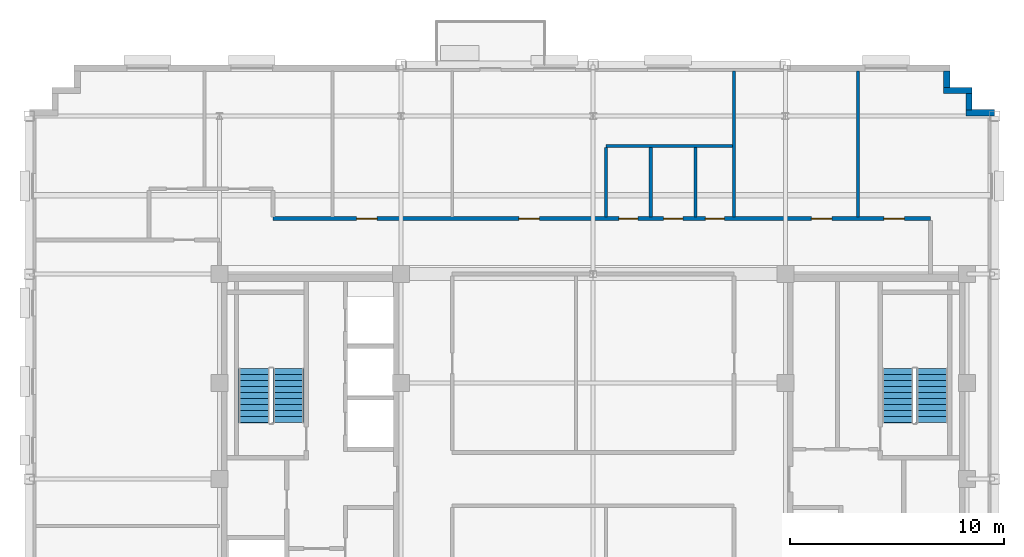
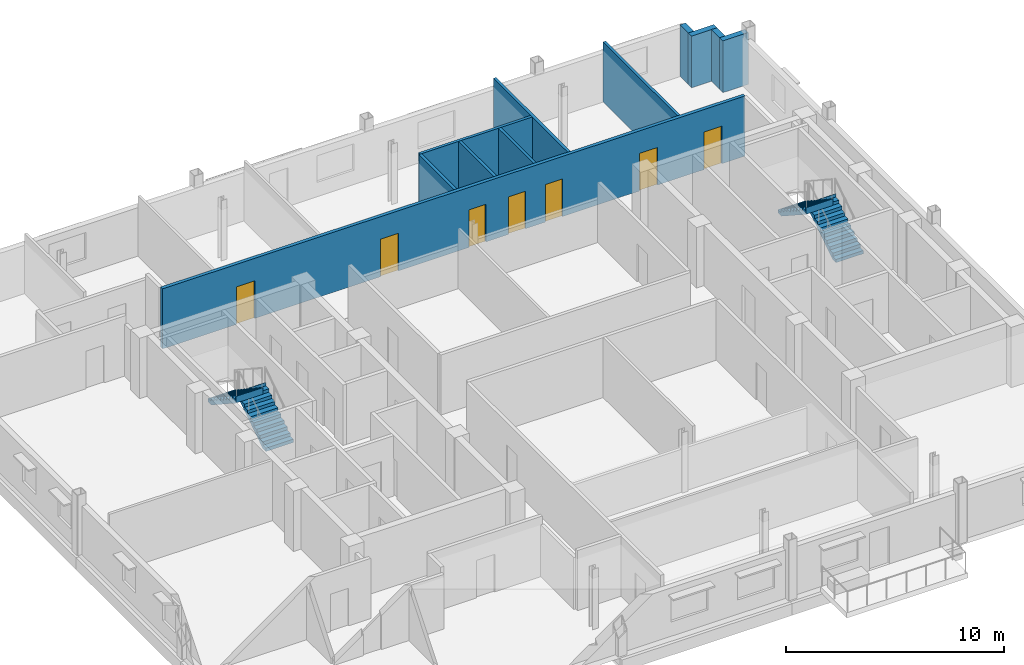
# One storey, part 9 of 13: 11 walls, 7 doors, 4 stair flights, 7 openings, 2 elements without a shape of their own.
"""IFC4 building model written with IfcOpenShell, lengths in metres."""

from ifc_helpers import new_model, si_unit, direction, frame, frame_2d, origin, place, context, subcontext, project, spatial, polyline, rectangle, outline, extrude, source, transform, mapped, material, layer, layer_set, type_object, type_shapes, element, fill, aggregate, save


model = new_model("IFC4")

# Units and contexts
model_context = context("Model", 3, precision=1e-05, world=origin(), true_north=direction((0.0, 1.0)))
body_context = subcontext(model_context, "Body", "Model", "MODEL_VIEW")
ifc_project = project(units=[si_unit("LENGTHUNIT", "METRE"), si_unit("AREAUNIT", "SQUARE_METRE"), si_unit("VOLUMEUNIT", "CUBIC_METRE"), si_unit("PLANEANGLEUNIT", "RADIAN"), si_unit("MASSUNIT", "GRAM", prefix="KILO")], contexts=[model_context])

# Site, building, storey
site_placement = place(None, origin())
site = spatial("IfcSite", under=ifc_project, at=site_placement, CompositionType="ELEMENT")
building_placement = place(site_placement, origin())
building = spatial("IfcBuilding", under=site, at=building_placement, Name="Nuvemarco Arch Tower", CompositionType="ELEMENT")
storey_placement = place(building_placement, frame((0.0, 0.0, 231.050048828125)))
storey = spatial("IfcBuildingStorey", under=building, at=storey_placement, Name="L61", CompositionType="ELEMENT", Elevation=231.050048828125)

# Walls
ifc_material_1 = material(Name="Precast concrete C45/55", Category="concrete")
ifc_layer_1 = layer(ifc_material_1, 0.300048828125, Name="EW-HIGH-300")
ifc_layer_set_1 = layer_set([ifc_layer_1], Name="Precast concrete C45/55")
wall_type_1 = type_object("IfcWallType", Name="EW-HIGH-300", PredefinedType="STANDARD", material=ifc_layer_set_1)
wall_1_placement = place(storey_placement, frame((17.449951171875, 17.14990234375, 0.0), z_axis=(0.0, 0.0, 1.0), x_axis=(1.0, 0.0, 0.0)))
element("IfcWall", 1, at=wall_1_placement, inside=storey, type_object=wall_type_1, Name="L61 exterior precast facade wall 7", PredefinedType="STANDARD", context=body_context, shape_type="SweptSolid", body=[
    extrude(rectangle(XDim=1.35009765625, YDim=0.300048828125, at=frame_2d((0.675048828125, 0.0))), origin(), (0.0, 0.0, 1.0), 2.891845703125),
])
wall_2_placement = place(storey_placement, frame((17.60009765625, 17.2958984375, 0.0), z_axis=(0.0, 0.0, 1.0), x_axis=(0.0, 1.0, 0.0)))
element("IfcWall", 2, at=wall_2_placement, inside=storey, type_object=wall_type_1, Name="L61 exterior precast facade wall 8", PredefinedType="STANDARD", context=body_context, shape_type="SweptSolid", body=[
    extrude(rectangle(XDim=0.758056640625, YDim=0.300048828125, at=frame_2d((0.37890625, 0.0))), origin(), (0.0, 0.0, 1.0), 2.891845703125),
])
wall_3_placement = place(storey_placement, frame((16.39990234375, 18.199951171875, 0.0), z_axis=(0.0, 0.0, 1.0), x_axis=(1.0, 0.0, 0.0)))
element("IfcWall", 3, at=wall_3_placement, inside=storey, type_object=wall_type_1, Name="L61 exterior precast facade wall 9", PredefinedType="STANDARD", context=body_context, shape_type="SweptSolid", body=[
    extrude(rectangle(XDim=1.35009765625, YDim=0.300048828125, at=frame_2d((0.675048828125, 0.0))), origin(), (0.0, 0.0, 1.0), 2.891845703125),
])
wall_4_placement = place(storey_placement, frame((16.550048828125, 18.345947265625, 0.0), z_axis=(0.0, 0.0, 1.0), x_axis=(0.0, 1.0, 0.0)))
element("IfcWall", 4, at=wall_4_placement, inside=storey, type_object=wall_type_1, Name="L61 exterior precast facade wall 10", PredefinedType="STANDARD", context=body_context, shape_type="SweptSolid", body=[
    extrude(rectangle(XDim=0.758056640625, YDim=0.300048828125, at=frame_2d((0.37890625, 0.0))), origin(), (0.0, 0.0, 1.0), 2.891845703125),
])

# Wall, openings, doors
ifc_material_2 = material(Name="Fire-rated gypsum drywall partition")
ifc_layer_2 = layer(ifc_material_2, 0.179931640625, Name="WL-CORR-180")
ifc_layer_set_2 = layer_set([ifc_layer_2], Name="Fire-rated gypsum drywall partition")
wall_type_2 = type_object("IfcWallType", Name="WL-CORR-180", PredefinedType="PARTITIONING", material=ifc_layer_set_2)
wall_5_placement = place(storey_placement, frame((-15.0, 12.199951171875, 0.0), z_axis=(0.0, 0.0, 1.0), x_axis=(1.0, 0.0, 0.0)))
wall_5 = element("IfcWall", 5, at=wall_5_placement, inside=storey, type_object=wall_type_2, Name="L61 interior wall IW-L61-015", PredefinedType="PARTITIONING", context=body_context, shape_type="SweptSolid", body=[
    extrude(rectangle(XDim=30.800048828125, YDim=0.179931640625, at=frame_2d((15.39990234375, 0.0))), origin(), (0.0, 0.0, 1.0), 3.35986328125),
])
opening_1_placement = place(wall_5_placement, frame((11.52001953125, 0.0, 0.0)))
opening_1 = element("IfcOpeningElement", 6, at=opening_1_placement, cuts=wall_5, Name="Opening FD-5", PredefinedType="OPENING", context=body_context, shape_type="SweptSolid", body=[
    extrude(rectangle(XDim=0.9599609375, YDim=2.10009765625, at=frame_2d((0.47998046875, 1.050048828125))), frame((0.0, 0.099853515625, 0.0), z_axis=(0.0, -1.0, 0.0), x_axis=(1.0, 0.0, 0.0)), (0.0, 0.0, 1.0), 0.199951171875),
])
opening_2_placement = place(wall_5_placement, frame((25.219970703125, 0.0, 0.0)))
opening_2 = element("IfcOpeningElement", 7, at=opening_2_placement, cuts=wall_5, Name="Opening FD-5", PredefinedType="OPENING", context=body_context, shape_type="SweptSolid", body=[
    extrude(rectangle(XDim=0.9599609375, YDim=2.10009765625, at=frame_2d((0.47998046875, 1.050048828125))), frame((0.0, 0.099853515625, 0.0), z_axis=(0.0, -1.0, 0.0), x_axis=(1.0, 0.0, 0.0)), (0.0, 0.0, 1.0), 0.199951171875),
])
opening_3_placement = place(wall_5_placement, frame((28.6201171875, 0.0, 0.0)))
opening_3 = element("IfcOpeningElement", 8, at=opening_3_placement, cuts=wall_5, Name="Opening FD-5", PredefinedType="OPENING", context=body_context, shape_type="SweptSolid", body=[
    extrude(rectangle(XDim=0.9599609375, YDim=2.10009765625, at=frame_2d((0.47998046875, 1.050048828125))), frame((0.0, 0.099853515625, 0.0), z_axis=(0.0, -1.0, 0.0), x_axis=(1.0, 0.0, 0.0)), (0.0, 0.0, 1.0), 0.199951171875),
])
opening_4_placement = place(wall_5_placement, frame((3.919921875, 0.0, 0.0)))
opening_4 = element("IfcOpeningElement", 9, at=opening_4_placement, cuts=wall_5, Name="Opening FD-5", PredefinedType="OPENING", context=body_context, shape_type="SweptSolid", body=[
    extrude(rectangle(XDim=0.9599609375, YDim=2.10009765625, at=frame_2d((0.47998046875, 1.050048828125))), frame((0.0, 0.099853515625, 0.0), z_axis=(0.0, -1.0, 0.0), x_axis=(1.0, 0.0, 0.0)), (0.0, 0.0, 1.0), 0.199951171875),
])
opening_5_placement = place(wall_5_placement, frame((16.199951171875, 0.0, 0.0)))
opening_5 = element("IfcOpeningElement", 10, at=opening_5_placement, cuts=wall_5, Name="Opening ID-3", PredefinedType="OPENING", context=body_context, shape_type="SweptSolid", body=[
    extrude(rectangle(XDim=0.89990234375, YDim=2.10009765625, at=frame_2d((0.449951171875, 1.050048828125))), frame((0.0, 0.099853515625, 0.0), z_axis=(0.0, -1.0, 0.0), x_axis=(1.0, 0.0, 0.0)), (0.0, 0.0, 1.0), 0.199951171875),
])
opening_6_placement = place(wall_5_placement, frame((18.300048828125, 0.0, 0.0)))
opening_6 = element("IfcOpeningElement", 11, at=opening_6_placement, cuts=wall_5, Name="Opening ID-3", PredefinedType="OPENING", context=body_context, shape_type="SweptSolid", body=[
    extrude(rectangle(XDim=0.89990234375, YDim=2.10009765625, at=frame_2d((0.449951171875, 1.050048828125))), frame((0.0, 0.099853515625, 0.0), z_axis=(0.0, -1.0, 0.0), x_axis=(1.0, 0.0, 0.0)), (0.0, 0.0, 1.0), 0.199951171875),
])
opening_7_placement = place(wall_5_placement, frame((20.25, 0.0, 0.0)))
opening_7 = element("IfcOpeningElement", 12, at=opening_7_placement, cuts=wall_5, Name="Opening ID-3", PredefinedType="OPENING", context=body_context, shape_type="SweptSolid", body=[
    extrude(rectangle(XDim=0.89990234375, YDim=2.10009765625, at=frame_2d((0.449951171875, 1.050048828125))), frame((0.0, 0.099853515625, 0.0), z_axis=(0.0, -1.0, 0.0), x_axis=(1.0, 0.0, 0.0)), (0.0, 0.0, 1.0), 0.199951171875),
])
ifc_material_3 = material(Name="Timber fire door", Category="wood")
door_type_1 = type_object("IfcDoorType", Name="DR-CORR-FD", OperationType="NOTDEFINED", PredefinedType="DOOR", material=ifc_material_3)
shared_shape_1 = source(origin(), body_context, "Body", "SweptSolid", [
    extrude(rectangle(XDim=0.9599609375, YDim=2.10009765625, at=frame_2d((0.47998046875, 1.050048828125))), frame((0.0, 0.02490234375, 0.0), z_axis=(0.0, -1.0, 0.0), x_axis=(1.0, 0.0, 0.0)), (0.0, 0.0, 1.0), 0.050048828125),
])
type_shapes(door_type_1, [shared_shape_1])
door_1_placement = place(opening_1_placement, origin())
door_1 = element("IfcDoor", 13, at=door_1_placement, inside=storey, type_object=door_type_1, Name="L61 door DR-L61-N_4", OperationType="SINGLE_SWING_RIGHT", OverallHeight=2.10009765625, OverallWidth=0.9599609375, PredefinedType="DOOR", context=body_context, shape_type="MappedRepresentation", body=[
    mapped(shared_shape_1, transform((0.0, 0.0, 0.0), scale=1.0)),
])
fill(opening_1, door_1)
door_2_placement = place(opening_2_placement, origin())
door_2 = element("IfcDoor", 14, at=door_2_placement, inside=storey, type_object=door_type_1, Name="L61 door DR-L61-N_5", OperationType="SINGLE_SWING_LEFT", OverallHeight=2.10009765625, OverallWidth=0.9599609375, PredefinedType="DOOR", context=body_context, shape_type="MappedRepresentation", body=[
    mapped(shared_shape_1, transform((0.0, 0.0, 0.0), scale=1.0)),
])
fill(opening_2, door_2)
door_3_placement = place(opening_3_placement, origin())
door_3 = element("IfcDoor", 15, at=door_3_placement, inside=storey, type_object=door_type_1, Name="L61 door DR-L61-N_6", OperationType="SINGLE_SWING_RIGHT", OverallHeight=2.10009765625, OverallWidth=0.9599609375, PredefinedType="DOOR", context=body_context, shape_type="MappedRepresentation", body=[
    mapped(shared_shape_1, transform((0.0, 0.0, 0.0), scale=1.0)),
])
fill(opening_3, door_3)
door_4_placement = place(opening_4_placement, origin())
door_4 = element("IfcDoor", 16, at=door_4_placement, inside=storey, type_object=door_type_1, Name="L61 door DR-L61-N_3", OperationType="SINGLE_SWING_RIGHT", OverallHeight=2.10009765625, OverallWidth=0.9599609375, PredefinedType="DOOR", context=body_context, shape_type="MappedRepresentation", body=[
    mapped(shared_shape_1, transform((0.0, 0.0, 0.0), scale=1.0)),
])
fill(opening_4, door_4)
ifc_material_4 = material(Name="Veneered oak timber fire door", Category="wood")
door_type_2 = type_object("IfcDoorType", Name="DR-WC-ACC", OperationType="NOTDEFINED", PredefinedType="DOOR", material=ifc_material_4)
shared_shape_2 = source(origin(), body_context, "Body", "SweptSolid", [
    extrude(rectangle(XDim=0.89990234375, YDim=2.10009765625, at=frame_2d((0.449951171875, 1.050048828125))), frame((0.0, 0.02490234375, 0.0), z_axis=(0.0, -1.0, 0.0), x_axis=(1.0, 0.0, 0.0)), (0.0, 0.0, 1.0), 0.050048828125),
])
type_shapes(door_type_2, [shared_shape_2])
door_5_placement = place(opening_5_placement, origin())
door_5 = element("IfcDoor", 17, at=door_5_placement, inside=storey, type_object=door_type_2, Name="L61 door DR-L61-WC_M", OperationType="SINGLE_SWING_RIGHT", OverallHeight=2.10009765625, OverallWidth=0.89990234375, PredefinedType="DOOR", context=body_context, shape_type="MappedRepresentation", body=[
    mapped(shared_shape_2, transform((0.0, 0.0, 0.0), scale=1.0)),
])
fill(opening_5, door_5)
door_6_placement = place(opening_6_placement, origin())
door_6 = element("IfcDoor", 18, at=door_6_placement, inside=storey, type_object=door_type_2, Name="L61 door DR-L61-WC_F", OperationType="SINGLE_SWING_LEFT", OverallHeight=2.10009765625, OverallWidth=0.89990234375, PredefinedType="DOOR", context=body_context, shape_type="MappedRepresentation", body=[
    mapped(shared_shape_2, transform((0.0, 0.0, 0.0), scale=1.0)),
])
fill(opening_6, door_6)
door_7_placement = place(opening_7_placement, origin())
door_7 = element("IfcDoor", 19, at=door_7_placement, inside=storey, type_object=door_type_2, Name="L61 door DR-L61-WC_ACC", OperationType="SINGLE_SWING_RIGHT", OverallHeight=2.10009765625, OverallWidth=0.89990234375, PredefinedType="DOOR", context=body_context, shape_type="MappedRepresentation", body=[
    mapped(shared_shape_2, transform((0.0, 0.0, 0.0), scale=1.0)),
])
fill(opening_7, door_7)

# Walls
ifc_material_5 = material(Name="Gypsum plasterboard partition")
ifc_layer_3 = layer(ifc_material_5, 0.139892578125, Name="WL-ROOM-140")
ifc_layer_set_3 = layer_set([ifc_layer_3], Name="Gypsum plasterboard partition")
wall_type_3 = type_object("IfcWallType", Name="WL-ROOM-140", PredefinedType="PARTITIONING", material=ifc_layer_set_3)
wall_6_placement = place(storey_placement, frame((12.39990234375, 12.285888671875, 0.0), z_axis=(0.0, 0.0, 1.0), x_axis=(0.0, 1.0, 0.0)))
element("IfcWall", 20, at=wall_6_placement, inside=storey, type_object=wall_type_3, Name="L61 interior wall IW-L61-040", PredefinedType="PARTITIONING", context=body_context, shape_type="SweptSolid", body=[
    extrude(rectangle(XDim=6.814208984375, YDim=0.139892578125, at=frame_2d((3.4072265625, 0.0))), origin(), (0.0, 0.0, 1.0), 3.35986328125),
])
ifc_material_6 = material(Name="Moisture-resistant gypsum partition")
ifc_layer_4 = layer(ifc_material_6, 0.14990234375, Name="WL-WET-150")
ifc_layer_set_4 = layer_set([ifc_layer_4], Name="Moisture-resistant gypsum partition")
wall_type_4 = type_object("IfcWallType", Name="WL-WET-150", PredefinedType="PARTITIONING", material=ifc_layer_set_4)
wall_7_placement = place(storey_placement, frame((0.60009765625, 15.60009765625, 0.0), z_axis=(0.0, 0.0, 1.0), x_axis=(1.0, 0.0, 0.0)))
element("IfcWall", 21, at=wall_7_placement, inside=storey, type_object=wall_type_4, Name="L61 interior wall IW-L61-017", PredefinedType="PARTITIONING", context=body_context, shape_type="SweptSolid", body=[
    extrude(rectangle(XDim=5.928955078125, YDim=0.14990234375, at=frame_2d((2.96435546875, 0.0))), origin(), (0.0, 0.0, 1.0), 3.35986328125),
])
for number, where, z_axis, x_axis, name in (
    (22, (0.60009765625, 12.285888671875, 0.0), (0.0, 0.0, 1.0), (0.0, 1.0, 0.0), "L61 interior wall IW-L61-033"),
    (23, (2.699951171875, 12.285888671875, 0.0), (0.0, 0.0, 1.0), (0.0, 1.0, 0.0), "L61 interior wall IW-L61-034"),
    (24, (4.800048828125, 12.285888671875, 0.0), (0.0, 0.0, 1.0), (0.0, 1.0, 0.0), "L61 interior wall IW-L61-035"),
):
    element("IfcWall", number, at=place(storey_placement, frame(where, z_axis=z_axis, x_axis=x_axis)), inside=storey, type_object=wall_type_4, Name=name, PredefinedType="PARTITIONING", context=body_context, shape_type="SweptSolid", body=[
        extrude(rectangle(XDim=3.2431640625, YDim=0.14990234375, at=frame_2d((1.62158203125, 0.0))), origin(), (0.0, 0.0, 1.0), 3.35986328125),
    ])
wall_8_placement = place(storey_placement, frame((6.60009765625, 12.285888671875, 0.0), z_axis=(0.0, 0.0, 1.0), x_axis=(0.0, 1.0, 0.0)))
element("IfcWall", 25, at=wall_8_placement, inside=storey, type_object=wall_type_4, Name="L61 interior wall IW-L61-038", PredefinedType="PARTITIONING", context=body_context, shape_type="SweptSolid", body=[
    extrude(rectangle(XDim=6.814208984375, YDim=0.14990234375, at=frame_2d((3.4072265625, 0.0))), origin(), (0.0, 0.0, 1.0), 3.35986328125),
])

# Stair, stair flights
stair_type = type_object("IfcStairType", Name="ST-CORE-20R", PredefinedType="HALF_TURN_STAIR", material=ifc_material_1)
stair_1_placement = place(storey_placement, origin())
stair_1 = element("IfcStair", 26, at=stair_1_placement, inside=storey, type_object=stair_type, Name="L61 Protected Exit Stair ST-1", PredefinedType="HALF_TURN_STAIR")
stair_flight_type = type_object("IfcStairFlightType", Name="SF-CORE-20R", PredefinedType="STRAIGHT", material=ifc_material_1)
stair_flight_1_placement = place(storey_placement, frame((-14.264892578125, 2.64990234375, 0.0), z_axis=(0.0, 0.0, 1.0), x_axis=(0.0, 1.0, 0.0)))
stair_flight_1 = element("IfcStairFlight", 27, at=stair_flight_1_placement, type_object=stair_flight_type, Name="ST-20R flight 1", NumberOfRisers=10, NumberOfTreads=9, PredefinedType="STRAIGHT", RiserHeight=0.1825, TreadLength=0.28, context=body_context, shape_type="SweptSolid", body=[
    extrude(outline(polyline([(0.0, 0.0), (0.0, 0.1826171875), (0.280029296875, 0.1826171875), (0.280029296875, 0.364990234375), (0.56005859375, 0.364990234375), (0.56005859375, 0.547607421875), (0.840087890625, 0.547607421875), (0.840087890625, 0.72998046875), (1.1201171875, 0.72998046875), (1.1201171875, 0.91259765625), (1.39990234375, 0.91259765625), (1.39990234375, 1.094970703125), (1.679931640625, 1.094970703125), (1.679931640625, 1.277587890625), (1.9599609375, 1.277587890625), (1.9599609375, 1.4599609375), (2.239990234375, 1.4599609375), (2.239990234375, 1.642578125), (2.52001953125, 1.642578125), (2.52001953125, 1.824951171875), (2.5400390625, 1.824951171875), (2.5400390625, 1.45166015625), (0.312744140625, 0.0), (0.0, 0.0)])), frame((0.0, 0.72509765625, 0.0), z_axis=(0.0, -1.0, 0.0), x_axis=(1.0, 0.0, 0.0)), (0.0, 0.0, 1.0), 1.449951171875),
])
stair_flight_2_placement = place(storey_placement, frame((-15.875, 5.169921875, 1.824951171875), z_axis=(0.0, 0.0, 1.0), x_axis=(0.0, -1.0, 0.0)))
stair_flight_2 = element("IfcStairFlight", 28, at=stair_flight_2_placement, type_object=stair_flight_type, Name="ST-20R flight 2", NumberOfRisers=10, NumberOfTreads=9, PredefinedType="STRAIGHT", RiserHeight=0.1825, TreadLength=0.28, context=body_context, shape_type="SweptSolid", body=[
    extrude(outline(polyline([(0.0, 0.0), (0.0, 0.1826171875), (0.280029296875, 0.1826171875), (0.280029296875, 0.364990234375), (0.56005859375, 0.364990234375), (0.56005859375, 0.547607421875), (0.840087890625, 0.547607421875), (0.840087890625, 0.72998046875), (1.1201171875, 0.72998046875), (1.1201171875, 0.91259765625), (1.39990234375, 0.91259765625), (1.39990234375, 1.094970703125), (1.679931640625, 1.094970703125), (1.679931640625, 1.277587890625), (1.9599609375, 1.277587890625), (1.9599609375, 1.4599609375), (2.239990234375, 1.4599609375), (2.239990234375, 1.642578125), (2.52001953125, 1.642578125), (2.52001953125, 1.824951171875), (2.5400390625, 1.824951171875), (2.5400390625, 1.45166015625), (0.312744140625, 0.0), (0.0, 0.0)])), frame((0.0, 0.72509765625, 0.0), z_axis=(0.0, -1.0, 0.0), x_axis=(1.0, 0.0, 0.0)), (0.0, 0.0, 1.0), 1.449951171875),
])
aggregate(stair_1, [stair_flight_1, stair_flight_2])

stair_2_placement = place(storey_placement, origin())
stair_2 = element("IfcStair", 29, at=stair_2_placement, inside=storey, type_object=stair_type, Name="L61 Protected Exit Stair ST-2", PredefinedType="HALF_TURN_STAIR")
stair_flight_3_placement = place(storey_placement, frame((15.875, 2.64990234375, 0.0), z_axis=(0.0, 0.0, 1.0), x_axis=(0.0, 1.0, 0.0)))
stair_flight_3 = element("IfcStairFlight", 30, at=stair_flight_3_placement, type_object=stair_flight_type, Name="ST-20R flight 1", NumberOfRisers=10, NumberOfTreads=9, PredefinedType="STRAIGHT", RiserHeight=0.1825, TreadLength=0.28, context=body_context, shape_type="SweptSolid", body=[
    extrude(outline(polyline([(0.0, 0.0), (0.0, 0.1826171875), (0.280029296875, 0.1826171875), (0.280029296875, 0.364990234375), (0.56005859375, 0.364990234375), (0.56005859375, 0.547607421875), (0.840087890625, 0.547607421875), (0.840087890625, 0.72998046875), (1.1201171875, 0.72998046875), (1.1201171875, 0.91259765625), (1.39990234375, 0.91259765625), (1.39990234375, 1.094970703125), (1.679931640625, 1.094970703125), (1.679931640625, 1.277587890625), (1.9599609375, 1.277587890625), (1.9599609375, 1.4599609375), (2.239990234375, 1.4599609375), (2.239990234375, 1.642578125), (2.52001953125, 1.642578125), (2.52001953125, 1.824951171875), (2.5400390625, 1.824951171875), (2.5400390625, 1.45166015625), (0.312744140625, 0.0), (0.0, 0.0)])), frame((0.0, 0.72509765625, 0.0), z_axis=(0.0, -1.0, 0.0), x_axis=(1.0, 0.0, 0.0)), (0.0, 0.0, 1.0), 1.449951171875),
])
stair_flight_4_placement = place(storey_placement, frame((14.264892578125, 5.169921875, 1.824951171875), z_axis=(0.0, 0.0, 1.0), x_axis=(0.0, -1.0, 0.0)))
stair_flight_4 = element("IfcStairFlight", 31, at=stair_flight_4_placement, type_object=stair_flight_type, Name="ST-20R flight 2", NumberOfRisers=10, NumberOfTreads=9, PredefinedType="STRAIGHT", RiserHeight=0.1825, TreadLength=0.28, context=body_context, shape_type="SweptSolid", body=[
    extrude(outline(polyline([(0.0, 0.0), (0.0, 0.1826171875), (0.280029296875, 0.1826171875), (0.280029296875, 0.364990234375), (0.56005859375, 0.364990234375), (0.56005859375, 0.547607421875), (0.840087890625, 0.547607421875), (0.840087890625, 0.72998046875), (1.1201171875, 0.72998046875), (1.1201171875, 0.91259765625), (1.39990234375, 0.91259765625), (1.39990234375, 1.094970703125), (1.679931640625, 1.094970703125), (1.679931640625, 1.277587890625), (1.9599609375, 1.277587890625), (1.9599609375, 1.4599609375), (2.239990234375, 1.4599609375), (2.239990234375, 1.642578125), (2.52001953125, 1.642578125), (2.52001953125, 1.824951171875), (2.5400390625, 1.824951171875), (2.5400390625, 1.45166015625), (0.312744140625, 0.0), (0.0, 0.0)])), frame((0.0, 0.72509765625, 0.0), z_axis=(0.0, -1.0, 0.0), x_axis=(1.0, 0.0, 0.0)), (0.0, 0.0, 1.0), 1.449951171875),
])
aggregate(stair_2, [stair_flight_3, stair_flight_4])

save(model, "model.ifc")
